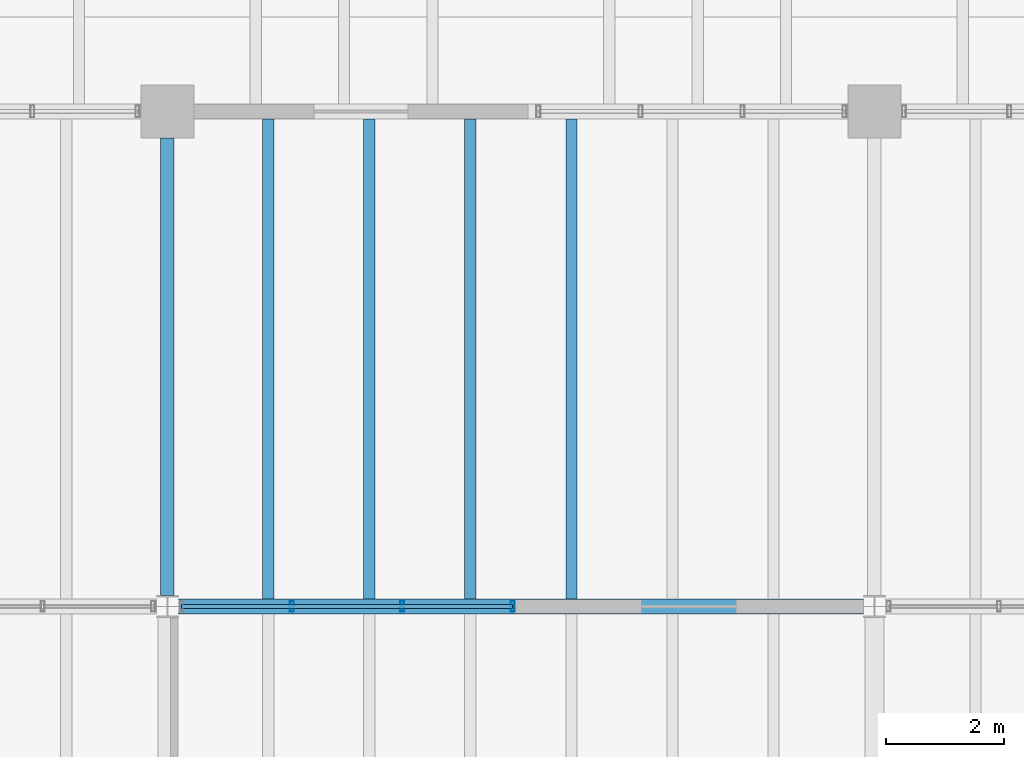
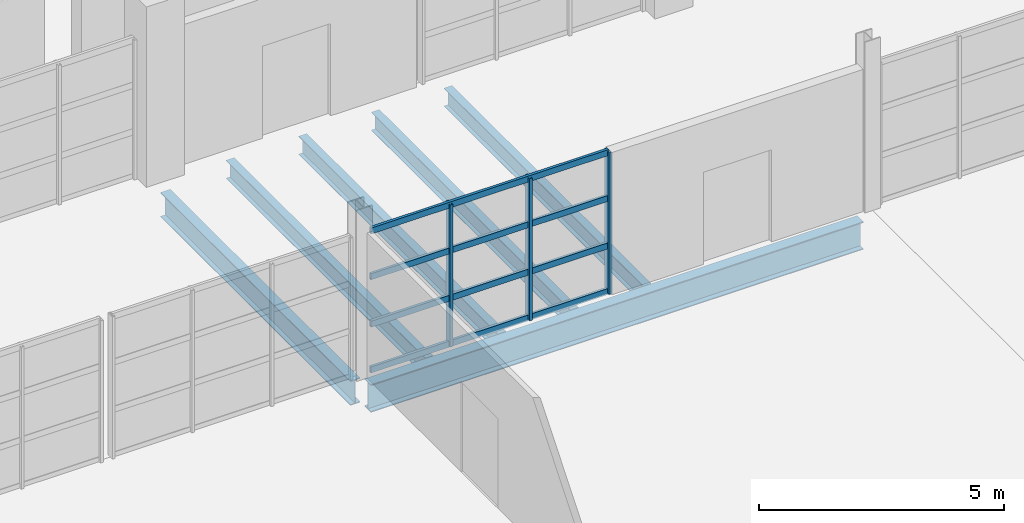
# One storey, part 21 of 114: 7 members, 6 beams, 1 element without a shape of its own.
"""IFC4 building model written with IfcOpenShell, lengths in metres."""

from ifc_helpers import new_model, si_unit, direction, frame, origin, origin_2d, place, context, subcontext, project, spatial, hollow_rectangle, i_section, extrude, material, material_profile, profile_set, type_object, element, aggregate, save


model = new_model("IFC4")

# Units and contexts
model_context = context("Model", 3, precision=1e-05, world=origin(), true_north=direction((0.0, 1.0)))
body_context = subcontext(model_context, "Body", "Model", "MODEL_VIEW")
ifc_project = project(units=[si_unit("LENGTHUNIT", "METRE"), si_unit("AREAUNIT", "SQUARE_METRE"), si_unit("VOLUMEUNIT", "CUBIC_METRE"), si_unit("PLANEANGLEUNIT", "RADIAN"), si_unit("MASSUNIT", "GRAM", prefix="KILO")], contexts=[model_context])

# Site, building, storey
site_placement = place(None, origin())
site = spatial("IfcSite", under=ifc_project, at=site_placement, CompositionType="ELEMENT")
building_placement = place(site_placement, origin())
building = spatial("IfcBuilding", under=site, at=building_placement, Name="Kelmvaro Bay Concert Hall", CompositionType="ELEMENT")
storey_placement = place(building_placement, frame((0.0, 0.0, 4.800048828125)))
storey = spatial("IfcBuildingStorey", under=building, at=storey_placement, Name="L01", CompositionType="ELEMENT", Elevation=4.800048828125)

# Curtain wall, members
ifc_material_1 = material(Name="Anodised Aluminium and Low-E Insulated Glazing", Category="aluminium")
curtain_wall_type = type_object("IfcCurtainWallType", Name="West Link Courtyard Curtain Wall 4000", PredefinedType="USERDEFINED", material=ifc_material_1)
curtain_wall_placement = place(storey_placement, origin())
curtain_wall = element("IfcCurtainWall", 1, at=curtain_wall_placement, inside=storey, type_object=curtain_wall_type, Name="Unitised Curtain Wall CW-L01-137", ObjectType="UNITISED GLAZING", PredefinedType="USERDEFINED")
ifc_material_2 = material(Name="Anodised Extruded Aluminium 6063-T6", Category="aluminium")
ifc_material_profile_1 = material_profile(ifc_material_2, hollow_rectangle(XDim=0.06494140625, YDim=0.179931640625, WallThickness=0.00390625, at=origin_2d()), Name="ALU-MUL-180X65")
ifc_profile_set_1 = profile_set([ifc_material_profile_1], Name="Anodised Extruded Aluminium 6063-T6")
member_type_1 = type_object("IfcMemberType", Name="Curtain Mullion ALU 180x65", PredefinedType="MULLION", material=ifc_profile_set_1)
member_1_placement = place(storey_placement, frame((26.1142578125, 57.0, 0.0), z_axis=(0.0, 0.0, 1.0), x_axis=(1.0, 0.0, 0.0)))
member_1 = element("IfcMember", 2, at=member_1_placement, type_object=member_type_1, Name="CW-L01-137 Mullion 02", PredefinedType="MULLION", context=body_context, shape_type="SweptSolid", body=[
    extrude(hollow_rectangle(XDim=0.06494140625, YDim=0.179931640625, WallThickness=0.00390625, at=origin_2d()), origin(), (0.0, 0.0, 1.0), 3.546875),
])
member_2_placement = place(storey_placement, frame((27.9873046875, 57.0, 0.0), z_axis=(0.0, 0.0, 1.0), x_axis=(1.0, 0.0, 0.0)))
member_2 = element("IfcMember", 3, at=member_2_placement, type_object=member_type_1, Name="CW-L01-137 Mullion 03", PredefinedType="MULLION", context=body_context, shape_type="SweptSolid", body=[
    extrude(hollow_rectangle(XDim=0.06494140625, YDim=0.179931640625, WallThickness=0.00390625, at=origin_2d()), origin(), (0.0, 0.0, 1.0), 3.546875),
])
member_3_placement = place(storey_placement, frame((29.860107421875, 57.0, 0.0), z_axis=(0.0, 0.0, 1.0), x_axis=(1.0, 0.0, 0.0)))
member_3 = element("IfcMember", 4, at=member_3_placement, type_object=member_type_1, Name="CW-L01-137 Mullion 04", PredefinedType="MULLION", context=body_context, shape_type="SweptSolid", body=[
    extrude(hollow_rectangle(XDim=0.06494140625, YDim=0.179931640625, WallThickness=0.00390625, at=origin_2d()), origin(), (0.0, 0.0, 1.0), 3.546875),
])
ifc_material_3 = material(Name="Anodised Extruded Aluminium 6063-T6", Category="aluminium")
ifc_material_profile_2 = material_profile(ifc_material_3, hollow_rectangle(XDim=0.06494140625, YDim=0.14990234375, WallThickness=0.00390625, at=origin_2d()), Name="ALU-TRN-150X65")
ifc_profile_set_2 = profile_set([ifc_material_profile_2], Name="Anodised Extruded Aluminium 6063-T6")
member_type_2 = type_object("IfcMemberType", Name="Curtain Transom ALU 150x65", PredefinedType="USERDEFINED", material=ifc_profile_set_2)
member_4_placement = place(storey_placement, frame((24.241455078125, 57.0, 0.0400390625), z_axis=(1.0, 0.0, 0.0), x_axis=(0.0, 1.0, 0.0)))
member_4 = element("IfcMember", 5, at=member_4_placement, type_object=member_type_2, Name="CW-L01-137 Transom 01", ObjectType="TRANSOM", PredefinedType="USERDEFINED", context=body_context, shape_type="SweptSolid", body=[
    extrude(hollow_rectangle(XDim=0.06494140625, YDim=0.14990234375, WallThickness=0.00390625, at=origin_2d()), origin(), (0.0, 0.0, 1.0), 5.61865234375),
])
member_5_placement = place(storey_placement, frame((24.241455078125, 57.0, 1.182373046875), z_axis=(1.0, 0.0, 0.0), x_axis=(0.0, 1.0, 0.0)))
member_5 = element("IfcMember", 6, at=member_5_placement, type_object=member_type_2, Name="CW-L01-137 Transom 02", ObjectType="TRANSOM", PredefinedType="USERDEFINED", context=body_context, shape_type="SweptSolid", body=[
    extrude(hollow_rectangle(XDim=0.06494140625, YDim=0.14990234375, WallThickness=0.00390625, at=origin_2d()), origin(), (0.0, 0.0, 1.0), 5.61865234375),
])
member_6_placement = place(storey_placement, frame((24.241455078125, 57.0, 2.36474609375), z_axis=(1.0, 0.0, 0.0), x_axis=(0.0, 1.0, 0.0)))
member_6 = element("IfcMember", 7, at=member_6_placement, type_object=member_type_2, Name="CW-L01-137 Transom 03", ObjectType="TRANSOM", PredefinedType="USERDEFINED", context=body_context, shape_type="SweptSolid", body=[
    extrude(hollow_rectangle(XDim=0.06494140625, YDim=0.14990234375, WallThickness=0.00390625, at=origin_2d()), origin(), (0.0, 0.0, 1.0), 5.61865234375),
])
member_7_placement = place(storey_placement, frame((24.241455078125, 57.0, 3.5068359375), z_axis=(1.0, 0.0, 0.0), x_axis=(0.0, 1.0, 0.0)))
member_7 = element("IfcMember", 8, at=member_7_placement, type_object=member_type_2, Name="CW-L01-137 Transom 04", ObjectType="TRANSOM", PredefinedType="USERDEFINED", context=body_context, shape_type="SweptSolid", body=[
    extrude(hollow_rectangle(XDim=0.06494140625, YDim=0.14990234375, WallThickness=0.00390625, at=origin_2d()), origin(), (0.0, 0.0, 1.0), 5.61865234375),
])
aggregate(curtain_wall, [member_1, member_2, member_3, member_4, member_5, member_6, member_7])

# Beams
ifc_material_4 = material(Name="Steel ASTM A992 Grade 50", Category="steel")
ifc_material_profile_3 = material_profile(ifc_material_4, i_section(OverallWidth=0.256103515625, OverallDepth=0.693115234375, WebThickness=0.014404296875, FlangeThickness=0.023681640625, at=origin_2d()), Name="W27X114")
ifc_profile_set_3 = profile_set([ifc_material_profile_3], Name="Steel ASTM A992 Grade 50")
beam_type_1 = type_object("IfcBeamType", Name="Foyer Primary Girder W27x114", PredefinedType="BEAM", material=ifc_profile_set_3)
beam_1_placement = place(storey_placement, frame((24.1865234375, 57.0, -0.596435546875), z_axis=(1.0, 0.0, 0.0), x_axis=(0.0, 1.0, 0.0)))
element("IfcBeam", 9, at=beam_1_placement, inside=storey, type_object=beam_type_1, Name="L01 Girder BM-L01-EW-0067", PredefinedType="BEAM", context=body_context, shape_type="SweptSolid", body=[
    extrude(i_section(OverallWidth=0.256103515625, OverallDepth=0.693115234375, WebThickness=0.014404296875, FlangeThickness=0.023681640625, at=origin_2d()), origin(), (0.0, 0.0, 1.0), 11.626953125),
])
ifc_material_5 = material(Name="Steel ASTM A992 Grade 50", Category="steel")
ifc_material_profile_4 = material_profile(ifc_material_5, i_section(OverallWidth=0.19091796875, OverallDepth=0.45703125, WebThickness=0.009033203125, FlangeThickness=0.014404296875, at=origin_2d()), Name="W18X50")
ifc_profile_set_4 = profile_set([ifc_material_profile_4], Name="Steel ASTM A992 Grade 50")
beam_type_2 = type_object("IfcBeamType", Name="Standard Composite Floor Joist W18x50", PredefinedType="JOIST", material=ifc_profile_set_4)
for number, where, z_axis, x_axis, name in (
    (10, (25.71435546875, 57.1279296875, -0.468505859375), (0.0, 1.0, 0.0), (-1.0, 0.0, 0.0), "L01 Floor Joist JST-L01-0514"),
    (11, (27.4287109375, 57.1279296875, -0.468505859375), (0.0, 1.0, 0.0), (-1.0, 0.0, 0.0), "L01 Floor Joist JST-L01-0515"),
    (12, (29.142822265625, 57.1279296875, -0.468505859375), (0.0, 1.0, 0.0), (-1.0, 0.0, 0.0), "L01 Floor Joist JST-L01-0516"),
    (13, (30.857177734375, 57.1279296875, -0.468505859375), (0.0, 1.0, 0.0), (-1.0, 0.0, 0.0), "L01 Floor Joist JST-L01-0517"),
):
    element("IfcBeam", number, at=place(storey_placement, frame(where, z_axis=z_axis, x_axis=x_axis)), inside=storey, type_object=beam_type_2, Name=name, PredefinedType="JOIST", context=body_context, shape_type="SweptSolid", body=[
        extrude(i_section(OverallWidth=0.19091796875, OverallDepth=0.45703125, WebThickness=0.009033203125, FlangeThickness=0.014404296875, at=origin_2d()), origin(), (0.0, 0.0, 1.0), 8.14404296875),
    ])
ifc_material_6 = material(Name="Steel ASTM A992 Grade 50", Category="steel")
ifc_material_profile_5 = material_profile(ifc_material_6, i_section(OverallWidth=0.22900390625, OverallDepth=0.612060546875, WebThickness=0.011962890625, FlangeThickness=0.01953125, at=origin_2d()), Name="W24X84")
ifc_profile_set_5 = profile_set([ifc_material_profile_5], Name="Steel ASTM A992 Grade 50")
beam_type_3 = type_object("IfcBeamType", Name="Terrace Edge Girder W24x84", PredefinedType="BEAM", material=ifc_profile_set_5)
beam_2_placement = place(storey_placement, frame((24.0, 57.1865234375, -0.546142578125), z_axis=(0.0, 1.0, 0.0), x_axis=(-1.0, 0.0, 0.0)))
element("IfcBeam", 14, at=beam_2_placement, inside=storey, type_object=beam_type_3, Name="L01 Girder BM-L01-NS-0141", PredefinedType="BEAM", context=body_context, shape_type="SweptSolid", body=[
    extrude(i_section(OverallWidth=0.22900390625, OverallDepth=0.612060546875, WebThickness=0.011962890625, FlangeThickness=0.01953125, at=origin_2d()), origin(), (0.0, 0.0, 1.0), 7.763427734375),
])

save(model, "model.ifc")
